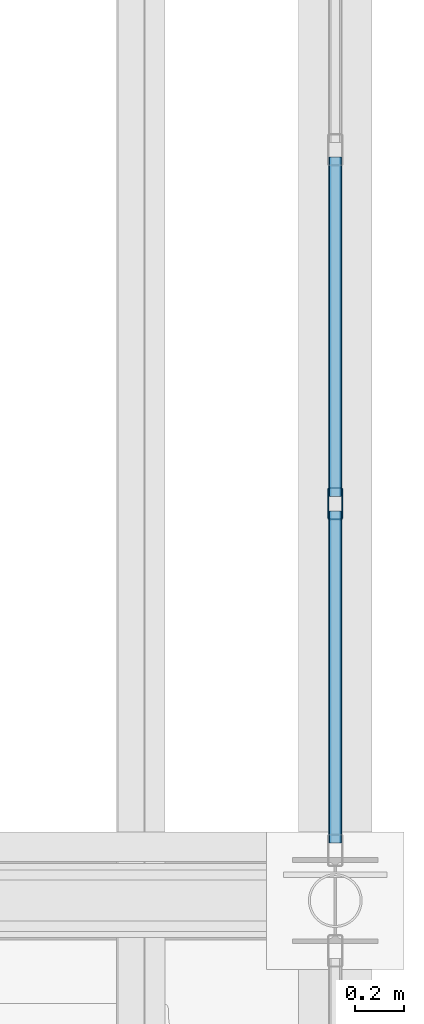
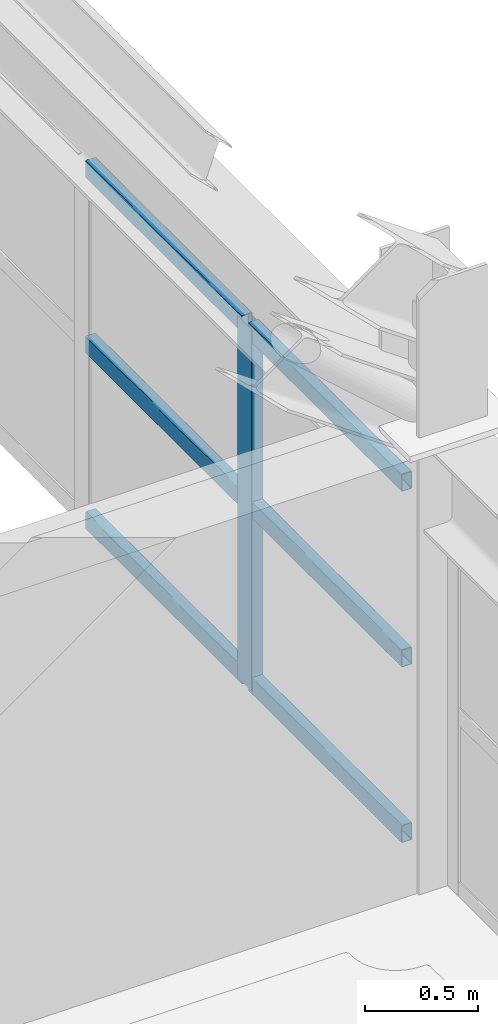
# One storey, part 39 of 121: 7 members, 1 element without a shape of its own.
"""IFC4 building model written with IfcOpenShell, lengths in metres."""

from ifc_helpers import new_model, si_unit, direction, frame, origin, origin_2d, place, context, subcontext, project, spatial, hollow_rectangle, extrude, material, material_profile, profile_set, type_object, element, aggregate, save


model = new_model("IFC4")

# Units and contexts
model_context = context("Model", 3, precision=1e-05, world=origin(), true_north=direction((0.0, 1.0)))
body_context = subcontext(model_context, "Body", "Model", "MODEL_VIEW")
ifc_project = project(units=[si_unit("LENGTHUNIT", "METRE"), si_unit("AREAUNIT", "SQUARE_METRE"), si_unit("VOLUMEUNIT", "CUBIC_METRE"), si_unit("PLANEANGLEUNIT", "RADIAN"), si_unit("MASSUNIT", "GRAM", prefix="KILO")], contexts=[model_context])

# Site, building, storey
site_placement = place(None, origin())
site = spatial("IfcSite", under=ifc_project, at=site_placement, CompositionType="ELEMENT")
building_placement = place(site_placement, origin())
building = spatial("IfcBuilding", under=site, at=building_placement, Name="Canglan Escarpment Cableway Terminal", CompositionType="ELEMENT")
storey_placement = place(building_placement, frame((0.0, 0.0, 24.60009765625)))
storey = spatial("IfcBuildingStorey", under=building, at=storey_placement, Name="L05", CompositionType="ELEMENT", Elevation=24.60009765625)

# Curtain wall, members
ifc_material_1 = material(Name="Anodized bronze aluminium and Low-E double glazing", Category="aluminium")
curtain_wall_type = type_object("IfcCurtainWallType", Name="CW-BAY-8650x1950", PredefinedType="NOTDEFINED", material=ifc_material_1)
curtain_wall_placement = place(storey_placement, origin())
curtain_wall = element("IfcCurtainWall", 1, at=curtain_wall_placement, inside=storey, type_object=curtain_wall_type, Name="Classical bay-between-piers glazed curtain wall CW-66", PredefinedType="NOTDEFINED")
ifc_material_2 = material(Name="Thermally broken anodized aluminium 6063-T6", Category="aluminium")
ifc_material_profile_1 = material_profile(ifc_material_2, hollow_rectangle(XDim=0.06005859375, YDim=0.1298828125, WallThickness=0.0029296875, InnerFilletRadius=0.0029296875, OuterFilletRadius=0.006103515625, at=origin_2d()), Name="ALU-MULL 60x130x3")
ifc_profile_set_1 = profile_set([ifc_material_profile_1], Name="Thermally broken anodized aluminium 6063-T6")
member_type_1 = type_object("IfcMemberType", Name="CWM-01", PredefinedType="MULLION", material=ifc_profile_set_1)
member_1_placement = place(storey_placement, frame((166.39990234375, 53.61669921875, 0.0), z_axis=(0.0, 0.0, 1.0), x_axis=(-1.0, 0.0, 0.0)))
member_1 = element("IfcMember", 2, at=member_1_placement, type_object=member_type_1, Name="CW-66 mullion 2", PredefinedType="MULLION", context=body_context, shape_type="SweptSolid", body=[
    extrude(hollow_rectangle(XDim=0.06005859375, YDim=0.1298828125, WallThickness=0.0029296875, InnerFilletRadius=0.0029296875, OuterFilletRadius=0.006103515625, at=origin_2d()), origin(), (0.0, 0.0, 1.0), 1.949951171875),
])
ifc_material_profile_2 = material_profile(ifc_material_2, hollow_rectangle(XDim=0.054931640625, YDim=0.094970703125, WallThickness=0.0029296875, InnerFilletRadius=0.0029296875, OuterFilletRadius=0.006103515625, at=origin_2d()), Name="ALU-TRAN 55x95x3")
ifc_profile_set_2 = profile_set([ifc_material_profile_2], Name="Thermally broken anodized aluminium 6063-T6")
member_type_2 = type_object("IfcMemberType", Name="CWT-01", PredefinedType="USERDEFINED", material=ifc_profile_set_2)
member_2_placement = place(storey_placement, frame((166.39990234375, 52.235107421875, 0.02734375), z_axis=(0.0, 1.0, 0.0), x_axis=(-1.0, 0.0, 0.0)))
member_2 = element("IfcMember", 3, at=member_2_placement, type_object=member_type_2, Name="CW-66 transom 1.1", ObjectType="TRANSOM", PredefinedType="USERDEFINED", context=body_context, shape_type="SweptSolid", body=[
    extrude(hollow_rectangle(XDim=0.054931640625, YDim=0.094970703125, WallThickness=0.0029296875, InnerFilletRadius=0.0029296875, OuterFilletRadius=0.006103515625, at=origin_2d()), origin(), (0.0, 0.0, 1.0), 1.3515625),
])
member_3_placement = place(storey_placement, frame((166.39990234375, 52.235107421875, 0.974853515625), z_axis=(0.0, 1.0, 0.0), x_axis=(-1.0, 0.0, 0.0)))
member_3 = element("IfcMember", 4, at=member_3_placement, type_object=member_type_2, Name="CW-66 transom 1.2", ObjectType="TRANSOM", PredefinedType="USERDEFINED", context=body_context, shape_type="SweptSolid", body=[
    extrude(hollow_rectangle(XDim=0.054931640625, YDim=0.094970703125, WallThickness=0.0029296875, InnerFilletRadius=0.0029296875, OuterFilletRadius=0.006103515625, at=origin_2d()), origin(), (0.0, 0.0, 1.0), 1.3515625),
])
member_4_placement = place(storey_placement, frame((166.39990234375, 52.235107421875, 1.92236328125), z_axis=(0.0, 1.0, 0.0), x_axis=(-1.0, 0.0, 0.0)))
member_4 = element("IfcMember", 5, at=member_4_placement, type_object=member_type_2, Name="CW-66 transom 1.3", ObjectType="TRANSOM", PredefinedType="USERDEFINED", context=body_context, shape_type="SweptSolid", body=[
    extrude(hollow_rectangle(XDim=0.054931640625, YDim=0.094970703125, WallThickness=0.0029296875, InnerFilletRadius=0.0029296875, OuterFilletRadius=0.006103515625, at=origin_2d()), origin(), (0.0, 0.0, 1.0), 1.3515625),
])
member_5_placement = place(storey_placement, frame((166.39990234375, 53.646728515625, 0.02734375), z_axis=(0.0, 1.0, 0.0), x_axis=(-1.0, 0.0, 0.0)))
member_5 = element("IfcMember", 6, at=member_5_placement, type_object=member_type_2, Name="CW-66 transom 2.1", ObjectType="TRANSOM", PredefinedType="USERDEFINED", context=body_context, shape_type="SweptSolid", body=[
    extrude(hollow_rectangle(XDim=0.054931640625, YDim=0.094970703125, WallThickness=0.0029296875, InnerFilletRadius=0.0029296875, OuterFilletRadius=0.006103515625, at=origin_2d()), origin(), (0.0, 0.0, 1.0), 1.381591796875),
])
member_6_placement = place(storey_placement, frame((166.39990234375, 53.646728515625, 0.974853515625), z_axis=(0.0, 1.0, 0.0), x_axis=(-1.0, 0.0, 0.0)))
member_6 = element("IfcMember", 7, at=member_6_placement, type_object=member_type_2, Name="CW-66 transom 2.2", ObjectType="TRANSOM", PredefinedType="USERDEFINED", context=body_context, shape_type="SweptSolid", body=[
    extrude(hollow_rectangle(XDim=0.054931640625, YDim=0.094970703125, WallThickness=0.0029296875, InnerFilletRadius=0.0029296875, OuterFilletRadius=0.006103515625, at=origin_2d()), origin(), (0.0, 0.0, 1.0), 1.381591796875),
])
member_7_placement = place(storey_placement, frame((166.39990234375, 53.646728515625, 1.92236328125), z_axis=(0.0, 1.0, 0.0), x_axis=(-1.0, 0.0, 0.0)))
member_7 = element("IfcMember", 8, at=member_7_placement, type_object=member_type_2, Name="CW-66 transom 2.3", ObjectType="TRANSOM", PredefinedType="USERDEFINED", context=body_context, shape_type="SweptSolid", body=[
    extrude(hollow_rectangle(XDim=0.054931640625, YDim=0.094970703125, WallThickness=0.0029296875, InnerFilletRadius=0.0029296875, OuterFilletRadius=0.006103515625, at=origin_2d()), origin(), (0.0, 0.0, 1.0), 1.381591796875),
])
aggregate(curtain_wall, [member_1, member_2, member_3, member_4, member_5, member_6, member_7])

save(model, "model.ifc")
